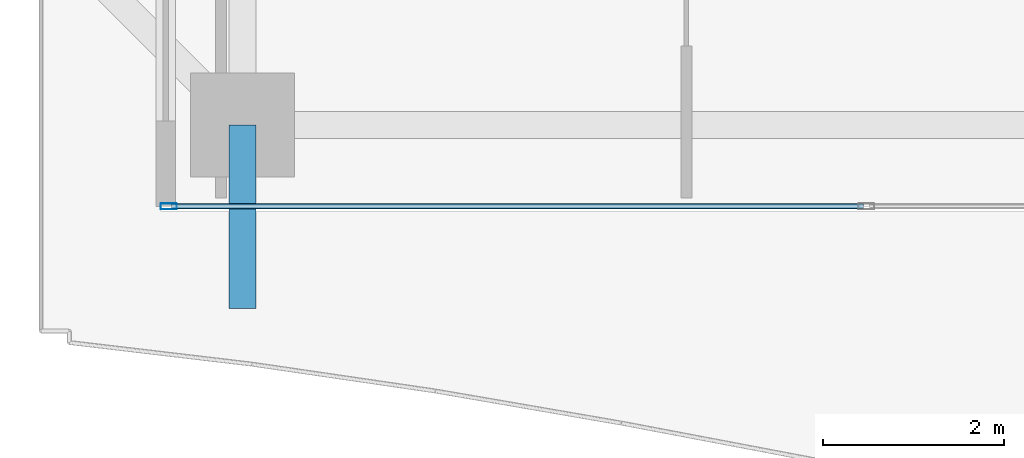
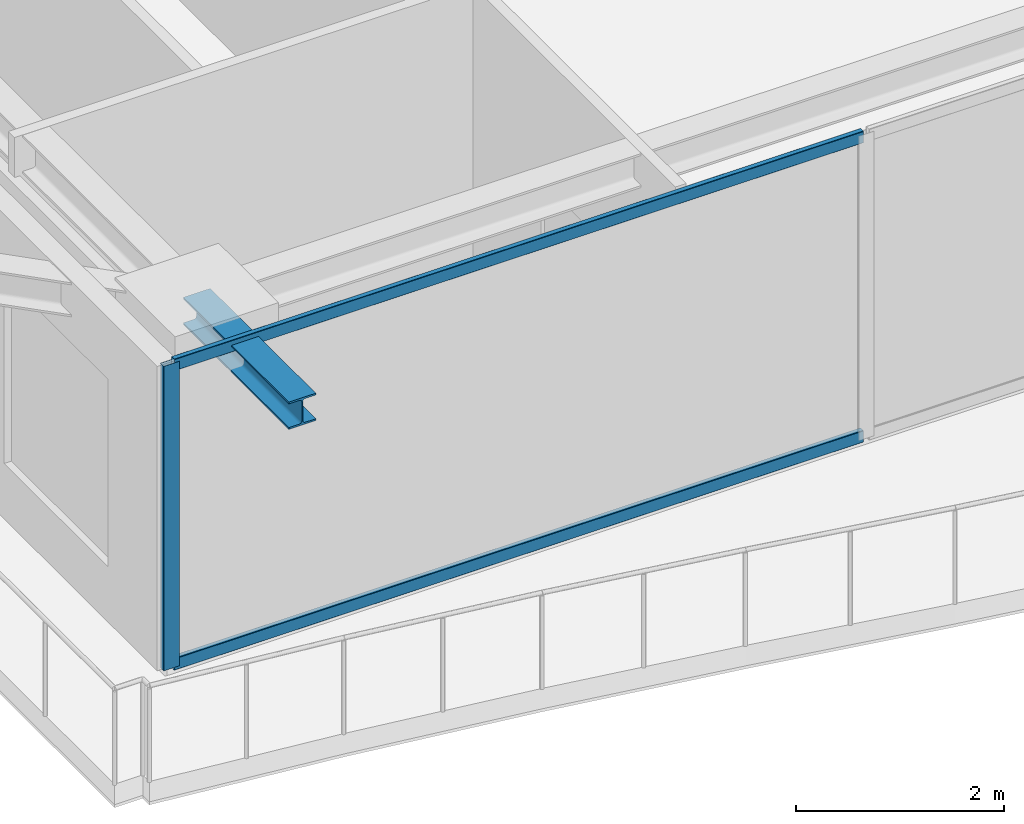
# One storey, part 2 of 37: 3 members, 1 beam, 1 element without a shape of its own.
"""IFC4 building model written with IfcOpenShell, lengths in metres."""

import ifcopenshell
import ifcopenshell.guid

model = None  # the IFC model being written
_history = None  # IfcOwnerHistory: only IFC2X3 demands one
_inside = {}  # id of a spatial element -> (the spatial element, [elements in it])
_under = {}  # id of a project, library or spatial element -> (it, [spatial elements below it])
_declared = {}  # id of a project -> (the project, [libraries it declares])
_typed = {}  # id of a type object -> (the type object, [elements of that type])
_made_of = {}  # id of a material, layer set ... -> (it, [elements and type objects made of it])


def new_model(schema):
    """Start an empty IFC model of exactly this schema.

    Asked for "IFC4X3", IfcOpenShell would pick the latest addendum, in which some entities
    have other attributes; the version numbers below select the first issue.
    IFC2X3 requires an IfcOwnerHistory on every rooted entity: one is made here for all.
    """
    global model, _history
    if schema == "IFC4X3":
        model = ifcopenshell.file(schema_version=(4, 3, 0, 0))
    else:
        model = ifcopenshell.file(schema=schema)
    _inside.clear()
    _under.clear()
    _declared.clear()
    _typed.clear()
    _made_of.clear()
    _history = None
    if model.schema == "IFC2X3":
        org = make("IfcOrganization", Name="unknown")
        user = make(
            "IfcPersonAndOrganization",
            ThePerson=make("IfcPerson", FamilyName="unknown"),
            TheOrganization=org,
        )
        app = make(
            "IfcApplication",
            ApplicationDeveloper=org,
            Version="unknown",
            ApplicationFullName="unknown",
            ApplicationIdentifier="unknown",
        )
        _history = make(
            "IfcOwnerHistory",
            OwningUser=user,
            OwningApplication=app,
            ChangeAction="ADDED",
            CreationDate=0,
        )
    return model


def make(cls, **values):
    """One entity of the class cls with the attributes given. An attribute that is None is left unset."""
    return model.create_entity(
        cls, **{name: value for name, value in values.items() if value is not None}
    )


def rooted(cls, **values):
    """An entity with a GlobalId (a new one), such as an element, a storey or a relation."""
    return make(cls, GlobalId=ifcopenshell.guid.new(), OwnerHistory=_history, **values)


def si_unit(unit_type, name, prefix=None):
    """IfcSIUnit, for example si_unit("LENGTHUNIT", "METRE", prefix="MILLI")."""
    return make("IfcSIUnit", UnitType=unit_type, Prefix=prefix, Name=name)


def assignment(units):
    """IfcUnitAssignment: the units of a project."""
    return None if units is None else make("IfcUnitAssignment", Units=units)


def point(xyz):
    """IfcCartesianPoint."""
    return None if xyz is None else make("IfcCartesianPoint", Coordinates=xyz)


def direction(xyz):
    """IfcDirection."""
    return None if xyz is None else make("IfcDirection", DirectionRatios=xyz)


def frame(location, z_axis=None, x_axis=None):
    """IfcAxis2Placement3D, a coordinate frame: its origin and axes. An axis left out is left unset."""
    return make(
        "IfcAxis2Placement3D",
        Location=point(location),
        Axis=direction(z_axis),
        RefDirection=direction(x_axis),
    )


def frame_2d(location, x_axis=None):
    """IfcAxis2Placement2D, a coordinate frame in the plane: its origin and x axis."""
    return make(
        "IfcAxis2Placement2D", Location=point(location), RefDirection=direction(x_axis)
    )


def origin():
    """The frame at (0, 0, 0) with its axes left unset."""
    return frame((0.0, 0.0, 0.0))


def origin_2d():
    """The frame at (0, 0) in the plane with its x axis left unset."""
    return frame_2d((0.0, 0.0))


def place(relative_to, where):
    """IfcLocalPlacement: puts the frame where relative to a parent placement (None: the world)."""
    return make(
        "IfcLocalPlacement", PlacementRelTo=relative_to, RelativePlacement=where
    )


def context(
    kind, dimensions, precision=None, world=None, true_north=None, identifier=None
):
    """IfcGeometricRepresentationContext, for example the 3D "Model" context."""
    return make(
        "IfcGeometricRepresentationContext",
        ContextIdentifier=identifier,
        ContextType=kind,
        CoordinateSpaceDimension=dimensions,
        Precision=precision,
        WorldCoordinateSystem=world,
        TrueNorth=true_north,
    )


def subcontext(parent, identifier, kind, view, scale=None):
    """IfcGeometricRepresentationSubContext, for example "Body" below "Model"."""
    return make(
        "IfcGeometricRepresentationSubContext",
        ContextIdentifier=identifier,
        ContextType=kind,
        ParentContext=parent,
        TargetScale=scale,
        TargetView=view,
    )


def project(units=None, contexts=None):
    """IfcProject with its units and contexts."""
    return rooted(
        "IfcProject",
        Name="project",
        RepresentationContexts=contexts,
        UnitsInContext=assignment(units),
    )


def spatial(cls, under=None, at=None, **own):
    """A site, building, storey or space (cls), placed at a placement, below another one or the project."""
    s = rooted(cls, ObjectPlacement=at, **own)
    if under is not None:
        _under.setdefault(under.id(), (under, []))[1].append(s)
    return s


def profile(cls, at=None, kind="AREA", **sizes):
    """A parametric profile (cls). Its sizes go by their IFC names, for example OverallWidth=200.0."""
    return make(cls, ProfileType=kind, Position=at, **sizes)


def hollow_rectangle(**sizes):
    """IfcRectangleHollowProfileDef."""
    return profile("IfcRectangleHollowProfileDef", **sizes)


def i_section(**sizes):
    """IfcIShapeProfileDef."""
    return profile("IfcIShapeProfileDef", **sizes)


def extrude(swept, where, along, depth):
    """IfcExtrudedAreaSolid: the profile swept, set in the frame where, extruded along a direction by depth."""
    return make(
        "IfcExtrudedAreaSolid",
        SweptArea=swept,
        Position=where,
        ExtrudedDirection=direction(along),
        Depth=depth,
    )


def shape(context_of_items, identifier, shape_type, items):
    """IfcShapeRepresentation: the items that make up one representation, for example the "Body"."""
    return make(
        "IfcShapeRepresentation",
        ContextOfItems=context_of_items,
        RepresentationIdentifier=identifier,
        RepresentationType=shape_type,
        Items=items,
    )


def source(mapping_origin, context_of_items, identifier, shape_type, items):
    """IfcRepresentationMap: a shape defined once, which mapped items show again and again."""
    return make(
        "IfcRepresentationMap",
        MappingOrigin=mapping_origin,
        MappedRepresentation=shape(context_of_items, identifier, shape_type, items),
    )


def transform(
    local_origin,
    x_axis=None,
    y_axis=None,
    z_axis=None,
    scale=None,
    scale2=None,
    scale3=None,
    uniform=True,
):
    """IfcCartesianTransformationOperator3D, or its non-uniform kind. x_axis, y_axis, z_axis: its Axis1, 2, 3."""
    if uniform:
        return make(
            "IfcCartesianTransformationOperator3D",
            Axis1=direction(x_axis),
            Axis2=direction(y_axis),
            LocalOrigin=point(local_origin),
            Scale=scale,
            Axis3=direction(z_axis),
        )
    return make(
        "IfcCartesianTransformationOperator3DnonUniform",
        Axis1=direction(x_axis),
        Axis2=direction(y_axis),
        LocalOrigin=point(local_origin),
        Scale=scale,
        Axis3=direction(z_axis),
        Scale2=scale2,
        Scale3=scale3,
    )


def mapped(mapping_source, mapping_target):
    """IfcMappedItem: shows the shape of a source again, moved by a transform."""
    return make(
        "IfcMappedItem", MappingSource=mapping_source, MappingTarget=mapping_target
    )


def material(Name=None, Category=None):
    """IfcMaterial."""
    return make("IfcMaterial", Name=Name, Category=Category)


def layer(
    of_material, thickness, ventilated=None, Name=None, Category=None, Priority=None
):
    """IfcMaterialLayer: one layer of a wall or slab, of a material (None: an air gap)."""
    return make(
        "IfcMaterialLayer",
        Material=of_material,
        LayerThickness=thickness,
        IsVentilated=ventilated,
        Name=Name,
        Category=Category,
        Priority=Priority,
    )


def layer_set(layers, Name=None):
    """IfcMaterialLayerSet."""
    return make("IfcMaterialLayerSet", MaterialLayers=layers, LayerSetName=Name)


def material_profile(
    of_material, cross_section, Name=None, Category=None, Priority=None
):
    """IfcMaterialProfile: a cross section and its material."""
    return make(
        "IfcMaterialProfile",
        Name=Name,
        Material=of_material,
        Profile=cross_section,
        Priority=Priority,
        Category=Category,
    )


def profile_set(profiles, Name=None, composite=None):
    """IfcMaterialProfileSet."""
    return make(
        "IfcMaterialProfileSet",
        Name=Name,
        MaterialProfiles=profiles,
        CompositeProfile=composite,
    )


def made_of(thing, what):
    """Note that an element or type object is made of a material, layer set ...; save() writes the relation."""
    if what is not None:
        _made_of.setdefault(what.id(), (what, []))[1].append(thing)
    return thing


def type_object(cls, material=None, **own):
    """A type object (cls), such as IfcWallType, which elements share."""
    return made_of(rooted(cls, **own), material)


def element(
    cls,
    number,
    at=None,
    inside=None,
    cuts=None,
    type_object=None,
    material=None,
    context=None,
    identifier="Body",
    shape_type=None,
    held_by="IfcProductDefinitionShape",
    body=None,
    shapes=None,
    **own,
):
    """One element of the class cls, such as IfcWall. Its Tag is "e" and its number.

    at: its placement. inside: the storey or other place that contains it. cuts: it is an
    opening in that element (IfcRelVoidsElement). A single representation is given by context,
    identifier, shape_type and body (its items); several are given by shapes. held_by: the class
    of the entity that holds the representations. save() writes the other relations.
    """
    e = rooted(cls, Tag="e%d" % number, ObjectPlacement=at, **own)
    if body is not None:
        shapes = [shape(context, identifier, shape_type, body)]
    if shapes is not None:
        e.Representation = make(held_by, Representations=shapes)
    if inside is not None:
        _inside.setdefault(inside.id(), (inside, []))[1].append(e)
    if cuts is not None:
        rooted(
            "IfcRelVoidsElement", RelatingBuildingElement=cuts, RelatedOpeningElement=e
        )
    if type_object is not None:
        _typed.setdefault(type_object.id(), (type_object, []))[1].append(e)
    return made_of(e, material)


def aggregate(whole, parts):
    """IfcRelAggregates: a whole, such as a stair, and the parts it consists of."""
    return rooted("IfcRelAggregates", RelatingObject=whole, RelatedObjects=parts)


def save(model, path):
    """Write the relations noted so far, then the file.

    IfcRelAggregates (storeys below a building ...), IfcRelContainedInSpatialStructure (elements
    in a storey), IfcRelDefinesByType, IfcRelAssociatesMaterial and IfcRelDeclares: one each for
    every whole, place, type object, material and project.
    """
    for whole, parts in _under.values():
        aggregate(whole, parts)
    for where, things in _inside.values():
        rooted(
            "IfcRelContainedInSpatialStructure",
            RelatedElements=things,
            RelatingStructure=where,
        )
    for kind, things in _typed.values():
        rooted("IfcRelDefinesByType", RelatedObjects=things, RelatingType=kind)
    for what, things in _made_of.values():
        rooted("IfcRelAssociatesMaterial", RelatedObjects=things, RelatingMaterial=what)
    for by, libraries in _declared.values():
        rooted("IfcRelDeclares", RelatingContext=by, RelatedDefinitions=libraries)
    model.write(path)


model = new_model("IFC4")

# Units and contexts
model_context = context("Model", 3, precision=1e-05, world=origin(), true_north=direction((0.0, 1.0)))
body_context = subcontext(model_context, "Body", "Model", "MODEL_VIEW")
ifc_project = project(units=[si_unit("LENGTHUNIT", "METRE"), si_unit("AREAUNIT", "SQUARE_METRE"), si_unit("VOLUMEUNIT", "CUBIC_METRE"), si_unit("PLANEANGLEUNIT", "RADIAN"), si_unit("MASSUNIT", "GRAM", prefix="KILO")], contexts=[model_context])

# Site, building, storey
site_placement = place(None, origin())
site = spatial("IfcSite", under=ifc_project, at=site_placement, CompositionType="ELEMENT")
building_placement = place(site_placement, origin())
building = spatial("IfcBuilding", under=site, at=building_placement, Name="Serunith Strait Residences", CompositionType="ELEMENT")
storey_placement = place(building_placement, frame((0.0, 0.0, 218.14990234375)))
storey = spatial("IfcBuildingStorey", under=building, at=storey_placement, Name="L54", CompositionType="ELEMENT", Elevation=218.14990234375)

# Beam
ifc_material_1 = material(Name="Steel S355J2", Category="steel")
ifc_material_profile_1 = material_profile(ifc_material_1, i_section(OverallWidth=0.300048828125, OverallDepth=0.320068359375, WebThickness=0.011474609375, FlangeThickness=0.0205078125, FilletRadius=0.027099609375, at=origin_2d()), Name="HEB 320")
ifc_profile_set_1 = profile_set([ifc_material_profile_1], Name="Steel S355J2")
beam_type = type_object("IfcBeamType", Name="BM-HEB320", PredefinedType="BEAM", material=ifc_profile_set_1)
shared_shape_1 = source(origin(), body_context, "Body", "SweptSolid", [
    extrude(i_section(OverallWidth=0.300048828125, OverallDepth=0.320068359375, WebThickness=0.011474609375, FlangeThickness=0.0205078125, FilletRadius=0.027099609375, at=origin_2d()), origin(), (0.0, 0.0, 1.0), 2.030029296875),
])
beam_placement = place(storey_placement, frame((16.25, 2.10009765625, 3.397216796875), z_axis=(0.0, -1.0, 0.0), x_axis=(1.0, 0.0, 0.0)))
element("IfcBeam", 1, at=beam_placement, inside=storey, type_object=beam_type, Name="L55 Cantilevered Balcony Rib TC-S1", PredefinedType="BEAM", context=body_context, shape_type="MappedRepresentation", body=[
    mapped(shared_shape_1, transform((0.0, 0.0, 0.0), scale=1.0)),
])

# Curtain wall, members
ifc_material_2 = material(Name="Pale-Champagne Anodised Aluminium", Category="aluminium")
ifc_layer = layer(ifc_material_2, 0.199951171875, Name="Pale-Champagne Anodised Aluminium")
ifc_layer_set = layer_set([ifc_layer], Name="Pale-Champagne Anodised Aluminium")
curtain_wall_type = type_object("IfcCurtainWallType", Name="CW-SYS4", PredefinedType="NOTDEFINED", material=ifc_layer_set)
curtain_wall_placement = place(storey_placement, origin())
curtain_wall = element("IfcCurtainWall", 2, at=curtain_wall_placement, inside=storey, type_object=curtain_wall_type, Name="L54 S Unitised Fritted Curtain Wall", PredefinedType="NOTDEFINED")
ifc_material_profile_2 = material_profile(ifc_material_2, hollow_rectangle(XDim=0.06005859375, YDim=0.139892578125, WallThickness=0.00341796875, InnerFilletRadius=0.00537109375, OuterFilletRadius=0.0087890625, at=origin_2d()), Name="ALU 140x60x3.5")
ifc_profile_set_2 = profile_set([ifc_material_profile_2], Name="Pale-Champagne Anodised Aluminium")
member_type_1 = type_object("IfcMemberType", Name="CW-SYS4-TRAN", PredefinedType="USERDEFINED", material=ifc_profile_set_2)
shared_shape_2 = source(origin(), body_context, "Body", "SweptSolid", [
    extrude(hollow_rectangle(XDim=0.06005859375, YDim=0.139892578125, WallThickness=0.00341796875, InnerFilletRadius=0.00537109375, OuterFilletRadius=0.0087890625, at=origin_2d()), origin(), (0.0, 0.0, 1.0), 7.65234375),
])
member_1_placement = place(storey_placement, frame((15.465087890625, 1.199951171875, 0.030029296875), z_axis=(1.0, 0.0, 0.0), x_axis=(0.0, 1.0, 0.0)))
member_1 = element("IfcMember", 3, at=member_1_placement, type_object=member_type_1, Name="CW-4 transom 1.1", ObjectType="TRANSOM", PredefinedType="USERDEFINED", context=body_context, shape_type="MappedRepresentation", body=[
    mapped(shared_shape_2, transform((0.0, 0.0, 0.0), scale=1.0)),
])
member_2_placement = place(storey_placement, frame((15.465087890625, 1.199951171875, 3.545166015625), z_axis=(1.0, 0.0, 0.0), x_axis=(0.0, 1.0, 0.0)))
member_2 = element("IfcMember", 4, at=member_2_placement, type_object=member_type_1, Name="CW-4 transom 1.2", ObjectType="TRANSOM", PredefinedType="USERDEFINED", context=body_context, shape_type="MappedRepresentation", body=[
    mapped(shared_shape_2, transform((0.0, 0.0, 0.0), scale=1.0)),
])
ifc_material_profile_3 = material_profile(ifc_material_2, hollow_rectangle(XDim=0.06494140625, YDim=0.179931640625, WallThickness=0.00341796875, InnerFilletRadius=0.00537109375, OuterFilletRadius=0.0087890625, at=origin_2d()), Name="ALU 180x65x3.5")
ifc_profile_set_3 = profile_set([ifc_material_profile_3], Name="Pale-Champagne Anodised Aluminium")
member_type_2 = type_object("IfcMemberType", Name="CW-SYS4-MULL", PredefinedType="MULLION", material=ifc_profile_set_3)
shared_shape_3 = source(origin(), body_context, "Body", "SweptSolid", [
    extrude(hollow_rectangle(XDim=0.06494140625, YDim=0.179931640625, WallThickness=0.00341796875, InnerFilletRadius=0.00537109375, OuterFilletRadius=0.0087890625, at=origin_2d()), origin(), (0.0, 0.0, 1.0), 3.5751953125),
])
member_3_placement = place(storey_placement, frame((15.4326171875, 1.199951171875, 0.0), z_axis=(0.0, 0.0, 1.0), x_axis=(0.0, 1.0, 0.0)))
member_3 = element("IfcMember", 5, at=member_3_placement, type_object=member_type_2, Name="CW-4 mullion 1", PredefinedType="MULLION", context=body_context, shape_type="MappedRepresentation", body=[
    mapped(shared_shape_3, transform((0.0, 0.0, 0.0), scale=1.0)),
])
aggregate(curtain_wall, [member_3, member_1, member_2])

save(model, "model.ifc")
